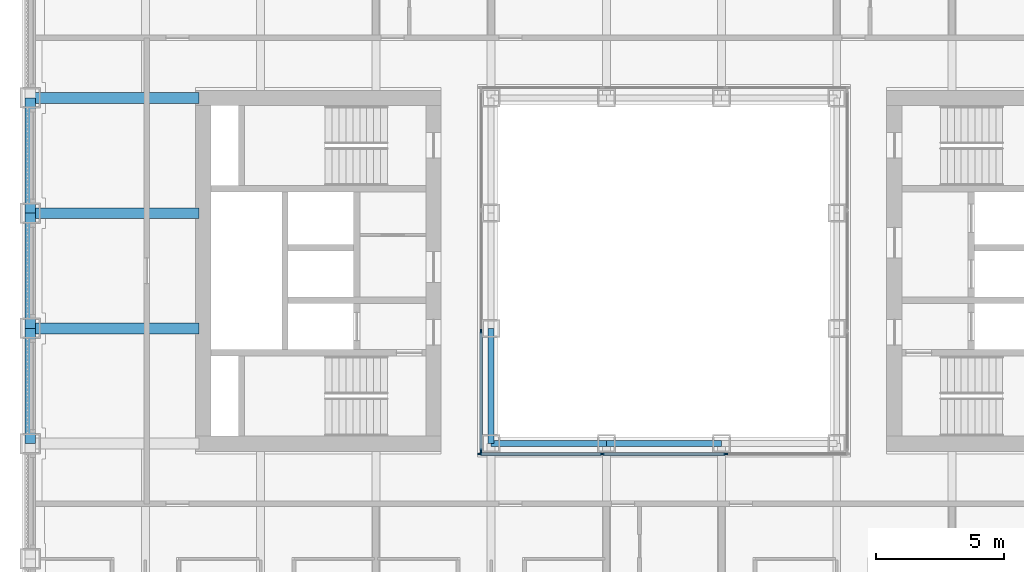
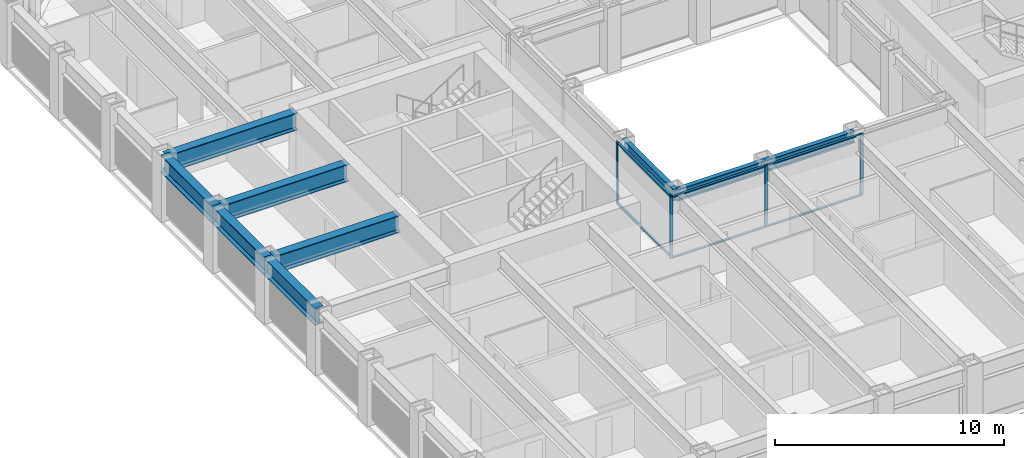
# One storey, part 3 of 20: 11 members, 9 beams, 2 elements without a shape of their own.
"""IFC4 building model written with IfcOpenShell, lengths in metres."""

from ifc_helpers import new_model, si_unit, direction, frame, origin, origin_2d, place, context, subcontext, project, spatial, rectangle, i_section, extrude, material, material_profile, profile_set, type_object, element, aggregate, save


model = new_model("IFC4")

# Units and contexts
model_context = context("Model", 3, precision=1e-05, world=origin(), true_north=direction((0.0, 1.0)))
body_context = subcontext(model_context, "Body", "Model", "MODEL_VIEW")
ifc_project = project(units=[si_unit("LENGTHUNIT", "METRE"), si_unit("AREAUNIT", "SQUARE_METRE"), si_unit("VOLUMEUNIT", "CUBIC_METRE"), si_unit("PLANEANGLEUNIT", "RADIAN"), si_unit("MASSUNIT", "GRAM", prefix="KILO")], contexts=[model_context])

# Site, building, storey
site_placement = place(None, origin())
site = spatial("IfcSite", under=ifc_project, at=site_placement, CompositionType="ELEMENT")
building_placement = place(site_placement, origin())
building = spatial("IfcBuilding", under=site, at=building_placement, Name="Msasa Ring Tower", CompositionType="ELEMENT")
storey_placement = place(building_placement, frame((0.0, 0.0, 58.0)))
storey = spatial("IfcBuildingStorey", under=building, at=storey_placement, Name="L14", CompositionType="ELEMENT", Elevation=58.0)

# Curtain wall, members
ifc_material_1 = material(Name="Aluminium curtain wall with clear glass", Category="aluminium")
curtain_wall_type = type_object("IfcCurtainWallType", Name="CW-W LIGHT WELL CURTAIN WALL", PredefinedType="NOTDEFINED", material=ifc_material_1)
curtain_wall_1_placement = place(storey_placement, origin())
curtain_wall_1 = element("IfcCurtainWall", 1, at=curtain_wall_1_placement, inside=storey, type_object=curtain_wall_type, Name="Light well curtain wall S L14", PredefinedType="NOTDEFINED")
ifc_material_2 = material(Name="Aluminium mullion", Category="aluminium")
ifc_material_profile_1 = material_profile(ifc_material_2, rectangle(XDim=0.06005859375, YDim=0.159912109375, at=origin_2d()), Name="AL 60x160")
ifc_profile_set_1 = profile_set([ifc_material_profile_1], Name="Aluminium mullion")
member_type_1 = type_object("IfcMemberType", Name="CW-W MULLION 60x160", PredefinedType="MULLION", material=ifc_profile_set_1)
member_1_placement = place(storey_placement, frame((-7.199951171875, -7.14990234375, 0.0), z_axis=(0.0, 0.0, 1.0), x_axis=(0.0, 1.0, 0.0)))
member_1 = element("IfcMember", 2, at=member_1_placement, type_object=member_type_1, Name="CW-W mullion 1", PredefinedType="MULLION", context=body_context, shape_type="SweptSolid", body=[
    extrude(rectangle(XDim=0.06005859375, YDim=0.159912109375, at=origin_2d()), origin(), (0.0, 0.0, 1.0), 3.300048828125),
])
member_2_placement = place(storey_placement, frame((-2.409912109375, -7.14990234375, 0.0), z_axis=(0.0, 0.0, 1.0), x_axis=(0.0, 1.0, 0.0)))
member_2 = element("IfcMember", 3, at=member_2_placement, type_object=member_type_1, Name="CW-W mullion 2", PredefinedType="MULLION", context=body_context, shape_type="SweptSolid", body=[
    extrude(rectangle(XDim=0.06005859375, YDim=0.159912109375, at=origin_2d()), origin(), (0.0, 0.0, 1.0), 3.300048828125),
])
member_3_placement = place(storey_placement, frame((2.409912109375, -7.14990234375, 0.0), z_axis=(0.0, 0.0, 1.0), x_axis=(0.0, 1.0, 0.0)))
member_3 = element("IfcMember", 4, at=member_3_placement, type_object=member_type_1, Name="CW-W mullion 3", PredefinedType="MULLION", context=body_context, shape_type="SweptSolid", body=[
    extrude(rectangle(XDim=0.06005859375, YDim=0.159912109375, at=origin_2d()), origin(), (0.0, 0.0, 1.0), 3.300048828125),
])

curtain_wall_2_placement = place(storey_placement, origin())
curtain_wall_2 = element("IfcCurtainWall", 5, at=curtain_wall_2_placement, inside=storey, type_object=curtain_wall_type, Name="Light well curtain wall W L14", PredefinedType="NOTDEFINED")
member_4_placement = place(storey_placement, frame((-7.14990234375, -7.0400390625, 0.0), z_axis=(0.0, 0.0, 1.0), x_axis=(-1.0, 0.0, 0.0)))
member_4 = element("IfcMember", 6, at=member_4_placement, type_object=member_type_1, Name="CW-W mullion 1", PredefinedType="MULLION", context=body_context, shape_type="SweptSolid", body=[
    extrude(rectangle(XDim=0.06005859375, YDim=0.159912109375, at=origin_2d()), origin(), (0.0, 0.0, 1.0), 3.300048828125),
])
member_5_placement = place(storey_placement, frame((-7.14990234375, -2.356689453125, 0.0), z_axis=(0.0, 0.0, 1.0), x_axis=(-1.0, 0.0, 0.0)))
member_5 = element("IfcMember", 7, at=member_5_placement, type_object=member_type_1, Name="CW-W mullion 2", PredefinedType="MULLION", context=body_context, shape_type="SweptSolid", body=[
    extrude(rectangle(XDim=0.06005859375, YDim=0.159912109375, at=origin_2d()), origin(), (0.0, 0.0, 1.0), 3.300048828125),
])

# Member
ifc_material_3 = material(Name="Aluminium transom", Category="aluminium")
ifc_material_profile_2 = material_profile(ifc_material_3, rectangle(XDim=0.1201171875, YDim=0.06005859375, at=origin_2d()), Name="AL 60x120")
ifc_profile_set_2 = profile_set([ifc_material_profile_2], Name="Aluminium transom")
member_type_2 = type_object("IfcMemberType", Name="CW-W TRANSOM 60x120", PredefinedType="USERDEFINED", material=ifc_profile_set_2)
member_6_placement = place(storey_placement, frame((-7.169921875, -7.14990234375, 0.030029296875), z_axis=(1.0, 0.0, 0.0), x_axis=(0.0, 1.0, 0.0)))
member_6 = element("IfcMember", 8, at=member_6_placement, type_object=member_type_2, Name="CW-W transom 1.1", ObjectType="TRANSOM", PredefinedType="USERDEFINED", context=body_context, shape_type="SweptSolid", body=[
    extrude(rectangle(XDim=0.1201171875, YDim=0.06005859375, at=origin_2d()), origin(), (0.0, 0.0, 1.0), 4.72998046875),
])

member_7_placement = place(storey_placement, frame((-7.169921875, -7.14990234375, 3.27001953125), z_axis=(1.0, 0.0, 0.0), x_axis=(0.0, 1.0, 0.0)))
member_7 = element("IfcMember", 9, at=member_7_placement, type_object=member_type_2, Name="CW-W transom 1.2", ObjectType="TRANSOM", PredefinedType="USERDEFINED", context=body_context, shape_type="SweptSolid", body=[
    extrude(rectangle(XDim=0.1201171875, YDim=0.06005859375, at=origin_2d()), origin(), (0.0, 0.0, 1.0), 4.72998046875),
])

member_8_placement = place(storey_placement, frame((-2.3798828125, -7.14990234375, 0.030029296875), z_axis=(1.0, 0.0, 0.0), x_axis=(0.0, 1.0, 0.0)))
member_8 = element("IfcMember", 10, at=member_8_placement, type_object=member_type_2, Name="CW-W transom 2.1", ObjectType="TRANSOM", PredefinedType="USERDEFINED", context=body_context, shape_type="SweptSolid", body=[
    extrude(rectangle(XDim=0.1201171875, YDim=0.06005859375, at=origin_2d()), origin(), (0.0, 0.0, 1.0), 4.759765625),
])

member_9_placement = place(storey_placement, frame((-2.3798828125, -7.14990234375, 3.27001953125), z_axis=(1.0, 0.0, 0.0), x_axis=(0.0, 1.0, 0.0)))
member_9 = element("IfcMember", 11, at=member_9_placement, type_object=member_type_2, Name="CW-W transom 2.2", ObjectType="TRANSOM", PredefinedType="USERDEFINED", context=body_context, shape_type="SweptSolid", body=[
    extrude(rectangle(XDim=0.1201171875, YDim=0.06005859375, at=origin_2d()), origin(), (0.0, 0.0, 1.0), 4.759765625),
])

aggregate(curtain_wall_1, [member_1, member_2, member_3, member_6, member_7, member_8, member_9])

member_10_placement = place(storey_placement, frame((-7.14990234375, -7.010009765625, 0.030029296875), z_axis=(0.0, 1.0, 0.0), x_axis=(-1.0, 0.0, 0.0)))
member_10 = element("IfcMember", 12, at=member_10_placement, type_object=member_type_2, Name="CW-W transom 1.1", ObjectType="TRANSOM", PredefinedType="USERDEFINED", context=body_context, shape_type="SweptSolid", body=[
    extrude(rectangle(XDim=0.1201171875, YDim=0.06005859375, at=origin_2d()), origin(), (0.0, 0.0, 1.0), 4.623291015625),
])

member_11_placement = place(storey_placement, frame((-7.14990234375, -7.010009765625, 3.27001953125), z_axis=(0.0, 1.0, 0.0), x_axis=(-1.0, 0.0, 0.0)))
member_11 = element("IfcMember", 13, at=member_11_placement, type_object=member_type_2, Name="CW-W transom 1.2", ObjectType="TRANSOM", PredefinedType="USERDEFINED", context=body_context, shape_type="SweptSolid", body=[
    extrude(rectangle(XDim=0.1201171875, YDim=0.06005859375, at=origin_2d()), origin(), (0.0, 0.0, 1.0), 4.623291015625),
])

aggregate(curtain_wall_2, [member_4, member_5, member_10, member_11])

# Beams
ifc_material_4 = material(Name="Steel S355", Category="steel")
ifc_material_profile_3 = material_profile(ifc_material_4, i_section(OverallWidth=0.42041015625, OverallDepth=0.9208984375, WebThickness=0.021484375, FlangeThickness=0.03662109375, FilletRadius=0.024169921875, at=origin_2d()), Name="UB 914x419x388")
ifc_profile_set_3 = profile_set([ifc_material_profile_3], Name="Steel S355")
beam_type_1 = type_object("IfcBeamType", Name="FB2 UB 914x419x388", PredefinedType="BEAM", material=ifc_profile_set_3)
for number, where, z_axis, x_axis, name in (
    (14, (-24.75, -2.25, 2.839599609375), (1.0, 0.0, 0.0), (0.0, 1.0, 0.0), "Floor beam W -2.25 under L15"),
    (15, (-24.75, 2.25, 2.839599609375), (1.0, 0.0, 0.0), (0.0, 1.0, 0.0), "Floor beam W +2.25 under L15"),
):
    element("IfcBeam", number, at=place(storey_placement, frame(where, z_axis=z_axis, x_axis=x_axis)), inside=storey, type_object=beam_type_1, Name=name, PredefinedType="BEAM", context=body_context, shape_type="SweptSolid", body=[
        extrude(i_section(OverallWidth=0.42041015625, OverallDepth=0.9208984375, WebThickness=0.021484375, FlangeThickness=0.03662109375, FilletRadius=0.024169921875, at=origin_2d()), origin(), (0.0, 0.0, 1.0), 6.60009765625),
    ])
ifc_material_5 = material(Name="Steel S355", Category="steel")
ifc_material_profile_4 = material_profile(ifc_material_5, i_section(OverallWidth=0.42041015625, OverallDepth=0.9208984375, WebThickness=0.021484375, FlangeThickness=0.03662109375, FilletRadius=0.024169921875, at=origin_2d()), Name="UB 914x419x388")
ifc_profile_set_4 = profile_set([ifc_material_profile_4], Name="Steel S355")
beam_type_2 = type_object("IfcBeamType", Name="GB1 UB 914x419x388", PredefinedType="BEAM", material=ifc_profile_set_4)
beam_placement = place(storey_placement, frame((-18.14990234375, 6.75, 2.839599609375), z_axis=(-1.0, 0.0, 0.0), x_axis=(0.0, -1.0, 0.0)))
element("IfcBeam", 16, at=beam_placement, inside=storey, type_object=beam_type_2, Name="Girder W +6.75 under L15", PredefinedType="BEAM", context=body_context, shape_type="SweptSolid", body=[
    extrude(i_section(OverallWidth=0.42041015625, OverallDepth=0.9208984375, WebThickness=0.021484375, FlangeThickness=0.03662109375, FilletRadius=0.024169921875, at=origin_2d()), origin(), (0.0, 0.0, 1.0), 6.60009765625),
])
ifc_material_6 = material(Name="Steel S355", Category="steel")
ifc_material_profile_5 = material_profile(ifc_material_6, i_section(OverallWidth=0.230224609375, OverallDepth=0.6171875, WebThickness=0.01318359375, FlangeThickness=0.022216796875, FilletRadius=0.0126953125, at=origin_2d()), Name="UB 610x229x140")
ifc_profile_set_5 = profile_set([ifc_material_profile_5], Name="Steel S355")
beam_type_3 = type_object("IfcBeamType", Name="RB1 UB 610x229x140", PredefinedType="BEAM", material=ifc_profile_set_5)
for number, where, z_axis, x_axis, name in (
    (17, (-6.75, -2.25, 2.991455078125), (0.0, -1.0, 0.0), (1.0, 0.0, 0.0), "Inner ring beam IR-6.75-2.25 under L15"),
    (18, (-6.75, -6.75, 2.991455078125), (1.0, 0.0, 0.0), (0.0, 1.0, 0.0), "Inner ring beam IR-6.75-6.75 under L15"),
    (19, (-2.25, -6.75, 2.991455078125), (1.0, 0.0, 0.0), (0.0, 1.0, 0.0), "Inner ring beam IR-2.25-6.75 under L15"),
):
    element("IfcBeam", number, at=place(storey_placement, frame(where, z_axis=z_axis, x_axis=x_axis)), inside=storey, type_object=beam_type_3, Name=name, PredefinedType="BEAM", context=body_context, shape_type="SweptSolid", body=[
        extrude(i_section(OverallWidth=0.230224609375, OverallDepth=0.6171875, WebThickness=0.01318359375, FlangeThickness=0.022216796875, FilletRadius=0.0126953125, at=origin_2d()), origin(), (0.0, 0.0, 1.0), 4.5),
    ])
ifc_material_7 = material(Name="Steel S355", Category="steel")
ifc_material_profile_6 = material_profile(ifc_material_7, i_section(OverallWidth=0.42041015625, OverallDepth=0.9208984375, WebThickness=0.021484375, FlangeThickness=0.03662109375, FilletRadius=0.024169921875, at=origin_2d()), Name="UB 914x419x388")
ifc_profile_set_6 = profile_set([ifc_material_profile_6], Name="Steel S355")
beam_type_4 = type_object("IfcBeamType", Name="SB1 UB 914x419x388", PredefinedType="SPANDREL", material=ifc_profile_set_6)
for number, where, z_axis, x_axis, name in (
    (20, (-24.75, -2.25, 2.839599609375), (0.0, -1.0, 0.0), (1.0, 0.0, 0.0), "Spandrel W-2.25 to W-6.75 under L15"),
    (21, (-24.75, 6.75, 2.839599609375), (0.0, -1.0, 0.0), (1.0, 0.0, 0.0), "Spandrel W+6.75 to W+2.25 under L15"),
    (22, (-24.75, 2.25, 2.839599609375), (0.0, -1.0, 0.0), (1.0, 0.0, 0.0), "Spandrel W+2.25 to W-2.25 under L15"),
):
    element("IfcBeam", number, at=place(storey_placement, frame(where, z_axis=z_axis, x_axis=x_axis)), inside=storey, type_object=beam_type_4, Name=name, PredefinedType="SPANDREL", context=body_context, shape_type="SweptSolid", body=[
        extrude(i_section(OverallWidth=0.42041015625, OverallDepth=0.9208984375, WebThickness=0.021484375, FlangeThickness=0.03662109375, FilletRadius=0.024169921875, at=origin_2d()), origin(), (0.0, 0.0, 1.0), 4.5),
    ])

save(model, "model.ifc")
